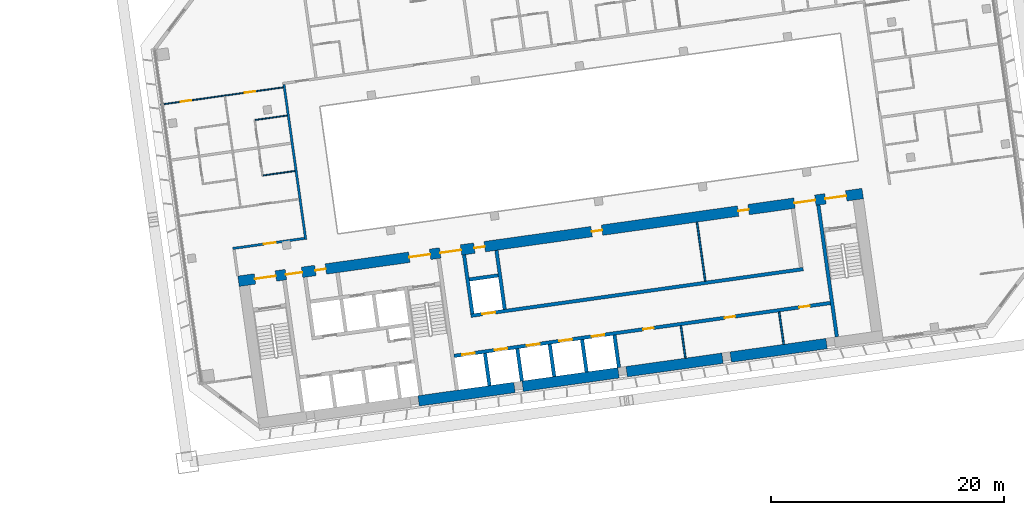
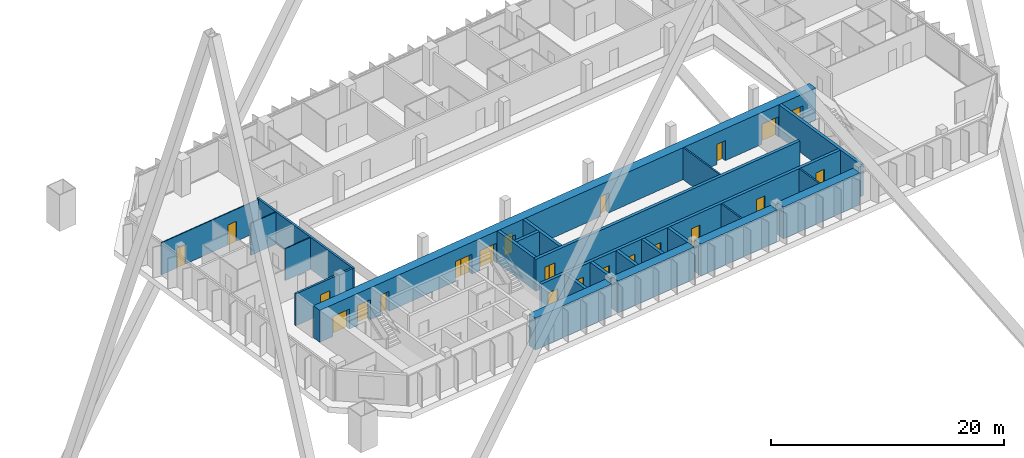
# One storey, part 44 of 49: 24 walls, 22 doors, 22 openings.
"""IFC4 building model written with IfcOpenShell, lengths in metres."""

from ifc_helpers import new_model, si_unit, direction, frame, frame_2d, origin, place, context, subcontext, project, spatial, rectangle, extrude, material, layer, layer_set, type_object, element, fill, save


model = new_model("IFC4")

# Units and contexts
model_context = context("Model", 3, precision=1e-05, world=origin(), true_north=direction((0.0, 1.0)))
body_context = subcontext(model_context, "Body", "Model", "MODEL_VIEW")
ifc_project = project(units=[si_unit("LENGTHUNIT", "METRE"), si_unit("AREAUNIT", "SQUARE_METRE"), si_unit("VOLUMEUNIT", "CUBIC_METRE"), si_unit("PLANEANGLEUNIT", "RADIAN"), si_unit("MASSUNIT", "GRAM", prefix="KILO")], contexts=[model_context])

# Site, building, storey
site_placement = place(None, origin())
site = spatial("IfcSite", under=ifc_project, at=site_placement, CompositionType="ELEMENT")
building_placement = place(site_placement, origin())
building = spatial("IfcBuilding", under=site, at=building_placement, Name="Mirante Cascada Hotel Towers", CompositionType="ELEMENT")
storey_placement = place(building_placement, frame((0.0, 0.0, 66.1)))
storey = spatial("IfcBuildingStorey", under=building, at=storey_placement, Name="L13", CompositionType="ELEMENT", Elevation=66.1)

# Wall, opening, door
ifc_material_1 = material(Name="Fire-rated plasterboard on metal studs")
ifc_layer_1 = layer(ifc_material_1, 0.2)
ifc_layer_set_1 = layer_set([ifc_layer_1], Name="Compartment wall 200 EI 120")
wall_type_1 = type_object("IfcWallType", Name="Compartment wall 200 EI 120", PredefinedType="PARTITIONING", material=ifc_layer_set_1)
wall_1_placement = place(storey_placement, frame((34.8304, -4.7545, 0.0), z_axis=(0.0, 0.0, 1.0), x_axis=(0.9902695, 0.1391629, 0.0)))
wall_1 = element("IfcWall", 1, at=wall_1_placement, inside=storey, type_object=wall_type_1, Name="Wall 2-L13-04", PredefinedType="PARTITIONING", context=body_context, shape_type="SweptSolid", body=[
    extrude(rectangle(XDim=6.1999, YDim=0.2, at=frame_2d((3.1, 0.0))), origin(), (0.0, 0.0, 1.0), 3.35),
])
opening_1_placement = place(wall_1_placement, frame((2.7, 0.0, 0.0)))
opening_1 = element("IfcOpeningElement", 2, at=opening_1_placement, cuts=wall_1, Name="Opening D2-L13-05", PredefinedType="OPENING", context=body_context, shape_type="SweptSolid", body=[
    extrude(rectangle(XDim=1.0, YDim=2.1, at=frame_2d((0.5, 1.05))), frame((0.0, 0.1, 0.0), z_axis=(0.0, -1.0, 0.0), x_axis=(1.0, 0.0, 0.0)), (0.0, 0.0, 1.0), 0.2),
])
ifc_material_2 = material(Name="Fire-rated timber door leaf", Category="wood")
door_type_1 = type_object("IfcDoorType", Name="Entrance door DG1 1000x2100 EI 60", OperationType="SINGLE_SWING_LEFT", PredefinedType="DOOR", material=ifc_material_2)
door_1_placement = place(opening_1_placement, frame((1.0, 0.0, 0.0), z_axis=(0.0, 0.0, 1.0), x_axis=(-1.0, 0.0, 0.0)))
door_1 = element("IfcDoor", 3, at=door_1_placement, inside=storey, type_object=door_type_1, Name="Door D2-L13-05", OperationType="SINGLE_SWING_RIGHT", OverallHeight=2.1, OverallWidth=1.0, PredefinedType="DOOR", context=body_context, shape_type="SweptSolid", body=[
    extrude(rectangle(XDim=1.0, YDim=2.1, at=frame_2d((0.5, 1.05))), frame((0.0, 0.025, 0.0), z_axis=(0.0, -1.0, 0.0), x_axis=(1.0, 0.0, 0.0)), (0.0, 0.0, 1.0), 0.05),
])
fill(opening_1, door_1)

# Walls
wall_2_placement = place(storey_placement, frame((39.2181, 9.2928, 0.0), z_axis=(0.0, 0.0, 1.0), x_axis=(0.1391716, -0.9902683, 0.0)))
element("IfcWall", 4, at=wall_2_placement, inside=storey, type_object=wall_type_1, Name="Wall 2-L13-35", PredefinedType="PARTITIONING", context=body_context, shape_type="SweptSolid", body=[
    extrude(rectangle(XDim=13.4, YDim=0.2, at=frame_2d((6.7, 0.0))), origin(), (0.0, 0.0, 1.0), 3.35),
])
ifc_material_3 = material(Name="Masonry block", Category="masonry")
ifc_layer_2 = layer(ifc_material_3, 0.15)
ifc_layer_set_2 = layer_set([ifc_layer_2], Name="Core room partition 150 block EI 30")
wall_type_2 = type_object("IfcWallType", Name="Core room partition 150 block EI 30", PredefinedType="PARTITIONING", material=ifc_layer_set_2)
wall_3_placement = place(storey_placement, frame((73.6152, -14.1482, 0.0), z_axis=(0.0, 0.0, 1.0), x_axis=(-0.139176, 0.9902677, 0.0)))
element("IfcWall", 5, at=wall_3_placement, inside=storey, type_object=wall_type_2, Name="Core wall partition T2 L13 4", PredefinedType="PARTITIONING", context=body_context, shape_type="SweptSolid", body=[
    extrude(rectangle(XDim=2.8001, YDim=0.15, at=frame_2d((1.4, 0.0))), origin(), (0.0, 0.0, 1.0), 3.35),
])
wall_4_placement = place(storey_placement, frame((82.0324, -12.9652, 0.0), z_axis=(0.0, 0.0, 1.0), x_axis=(-0.139141, 0.9902726, 0.0)))
element("IfcWall", 6, at=wall_4_placement, inside=storey, type_object=wall_type_2, Name="Core wall partition T2 L13 5", PredefinedType="PARTITIONING", context=body_context, shape_type="SweptSolid", body=[
    extrude(rectangle(XDim=2.8, YDim=0.15, at=frame_2d((1.4, 0.0))), origin(), (0.0, 0.0, 1.0), 3.35),
])
wall_5_placement = place(storey_placement, frame((75.3131, -7.5476, 0.0), z_axis=(0.0, 0.0, 1.0), x_axis=(-0.1391782, 0.9902673, 0.0)))
element("IfcWall", 7, at=wall_5_placement, inside=storey, type_object=wall_type_2, Name="Core wall partition T2 L13 6", PredefinedType="PARTITIONING", context=body_context, shape_type="SweptSolid", body=[
    extrude(rectangle(XDim=5.0999, YDim=0.15, at=frame_2d((2.55, 0.0))), origin(), (0.0, 0.0, 1.0), 3.35),
])
ifc_material_4 = material(Name="Plasterboard on metal studs")
ifc_layer_3 = layer(ifc_material_4, 0.1)
ifc_layer_set_3 = layer_set([ifc_layer_3], Name="Partition 100")
wall_type_3 = type_object("IfcWallType", Name="Partition 100", PredefinedType="PARTITIONING", material=ifc_layer_set_3)
wall_6_placement = place(storey_placement, frame((40.1582, 1.8849, 0.0), z_axis=(0.0, 0.0, 1.0), x_axis=(-0.9902641, -0.1392013, 0.0)))
element("IfcWall", 8, at=wall_6_placement, inside=storey, type_object=wall_type_3, Name="Wall 2-L13-11", PredefinedType="PARTITIONING", context=body_context, shape_type="SweptSolid", body=[
    extrude(rectangle(XDim=2.75, YDim=0.1, at=frame_2d((1.375, 0.0))), origin(), (0.0, 0.0, 1.0), 3.35),
])
wall_7_placement = place(storey_placement, frame((39.4902, 6.6381, 0.0), z_axis=(0.0, 0.0, 1.0), x_axis=(-0.9902698, -0.1391607, 0.0)))
element("IfcWall", 9, at=wall_7_placement, inside=storey, type_object=wall_type_3, Name="Wall 2-L13-15", PredefinedType="PARTITIONING", context=body_context, shape_type="SweptSolid", body=[
    extrude(rectangle(XDim=2.7501, YDim=0.1, at=frame_2d((1.3751, 0.0))), origin(), (0.0, 0.0, 1.0), 3.35),
])

# Wall, openings, doors
wall_8_placement = place(storey_placement, frame((28.6547, 7.5726, 0.0), z_axis=(0.0, 0.0, 1.0), x_axis=(0.9902671, 0.1391797, 0.0)))
wall_8 = element("IfcWall", 10, at=wall_8_placement, inside=storey, type_object=wall_type_3, Name="Wall 2-L13-18", PredefinedType="PARTITIONING", context=body_context, shape_type="SweptSolid", body=[
    extrude(rectangle(XDim=10.6, YDim=0.1, at=frame_2d((5.3, 0.0))), origin(), (0.0, 0.0, 1.0), 3.35),
])
opening_2_placement = place(wall_8_placement, frame((1.725, 0.0, 0.0)))
opening_2 = element("IfcOpeningElement", 11, at=opening_2_placement, cuts=wall_8, Name="Opening D2-L13-08", PredefinedType="OPENING", context=body_context, shape_type="SweptSolid", body=[
    extrude(rectangle(XDim=0.9, YDim=2.1, at=frame_2d((0.45, 1.05))), frame((0.0, 0.05, 0.0), z_axis=(0.0, -1.0, 0.0), x_axis=(1.0, 0.0, 0.0)), (0.0, 0.0, 1.0), 0.1),
])
opening_3_placement = place(wall_8_placement, frame((7.275, 0.0, 0.0)))
opening_3 = element("IfcOpeningElement", 12, at=opening_3_placement, cuts=wall_8, Name="Opening D2-L13-09", PredefinedType="OPENING", context=body_context, shape_type="SweptSolid", body=[
    extrude(rectangle(XDim=0.9, YDim=2.1, at=frame_2d((0.45, 1.05))), frame((0.0, 0.05, 0.0), z_axis=(0.0, -1.0, 0.0), x_axis=(1.0, 0.0, 0.0)), (0.0, 0.0, 1.0), 0.1),
])
ifc_material_5 = material(Name="Timber door leaf", Category="wood")
door_type_2 = type_object("IfcDoorType", Name="Room door DG3 900x2100", OperationType="SINGLE_SWING_LEFT", PredefinedType="DOOR", material=ifc_material_5)
door_2_placement = place(opening_2_placement, origin())
door_2 = element("IfcDoor", 13, at=door_2_placement, inside=storey, type_object=door_type_2, Name="Door D2-L13-08", OperationType="SINGLE_SWING_LEFT", OverallHeight=2.1, OverallWidth=0.9, PredefinedType="DOOR", context=body_context, shape_type="SweptSolid", body=[
    extrude(rectangle(XDim=0.9, YDim=2.1, at=frame_2d((0.45, 1.05))), frame((0.0, 0.025, 0.0), z_axis=(0.0, -1.0, 0.0), x_axis=(1.0, 0.0, 0.0)), (0.0, 0.0, 1.0), 0.05),
])
fill(opening_2, door_2)
door_3_placement = place(opening_3_placement, origin())
door_3 = element("IfcDoor", 14, at=door_3_placement, inside=storey, type_object=door_type_2, Name="Door D2-L13-09", OperationType="SINGLE_SWING_LEFT", OverallHeight=2.1, OverallWidth=0.9, PredefinedType="DOOR", context=body_context, shape_type="SweptSolid", body=[
    extrude(rectangle(XDim=0.9, YDim=2.1, at=frame_2d((0.45, 1.05))), frame((0.0, 0.025, 0.0), z_axis=(0.0, -1.0, 0.0), x_axis=(1.0, 0.0, 0.0)), (0.0, 0.0, 1.0), 0.05),
])
fill(opening_3, door_3)

# Wall
ifc_material_6 = material(Name="Concrete C50/60", Category="concrete")
ifc_layer_4 = layer(ifc_material_6, 0.3)
ifc_layer_set_4 = layer_set([ifc_layer_4], Name="RC core wall 300 C50/60")
wall_type_4 = type_object("IfcWallType", Name="RC core wall 300 C50/60", PredefinedType="SHEAR", material=ifc_layer_set_4)
wall_9_placement = place(storey_placement, frame((86.5877, -12.325, 0.0), z_axis=(0.0, 0.0, 1.0), x_axis=(-0.1391749, 0.9902678, 0.0)))
element("IfcWall", 15, at=wall_9_placement, inside=storey, type_object=wall_type_4, Name="Core wall T2:L13:8", PredefinedType="SHEAR", context=body_context, shape_type="SweptSolid", body=[
    extrude(rectangle(XDim=11.4, YDim=0.3, at=frame_2d((5.7, 0.0))), origin(), (0.0, 0.0, 1.0), 3.35),
])

# Wall, openings, doors
wall_10_placement = place(storey_placement, frame((53.7953, -13.9547, 0.0), z_axis=(0.0, 0.0, 1.0), x_axis=(0.990268, 0.1391733, 0.0)))
wall_10 = element("IfcWall", 16, at=wall_10_placement, inside=storey, type_object=wall_type_4, Name="Core wall T2:L13:24", PredefinedType="SHEAR", context=body_context, shape_type="SweptSolid", body=[
    extrude(rectangle(XDim=32.5501, YDim=0.3, at=frame_2d((16.275, 0.0))), origin(), (0.0, 0.0, 1.0), 3.35),
])
opening_4_placement = place(wall_10_placement, frame((0.7, 0.0, 0.0)))
opening_4 = element("IfcOpeningElement", 17, at=opening_4_placement, cuts=wall_10, Name="Opening LD", PredefinedType="OPENING", context=body_context, shape_type="SweptSolid", body=[
    extrude(rectangle(XDim=1.1, YDim=2.1, at=frame_2d((0.55, 1.05))), frame((0.0, 0.15, 0.0), z_axis=(0.0, -1.0, 0.0), x_axis=(1.0, 0.0, 0.0)), (0.0, 0.0, 1.0), 0.3),
])
opening_5_placement = place(wall_10_placement, frame((3.5, 0.0, 0.0)))
opening_5 = element("IfcOpeningElement", 18, at=opening_5_placement, cuts=wall_10, Name="Opening LD", PredefinedType="OPENING", context=body_context, shape_type="SweptSolid", body=[
    extrude(rectangle(XDim=1.1, YDim=2.1, at=frame_2d((0.55, 1.05))), frame((0.0, 0.15, 0.0), z_axis=(0.0, -1.0, 0.0), x_axis=(1.0, 0.0, 0.0)), (0.0, 0.0, 1.0), 0.3),
])
opening_6_placement = place(wall_10_placement, frame((6.3, 0.0, 0.0)))
opening_6 = element("IfcOpeningElement", 19, at=opening_6_placement, cuts=wall_10, Name="Opening LD", PredefinedType="OPENING", context=body_context, shape_type="SweptSolid", body=[
    extrude(rectangle(XDim=1.1, YDim=2.1, at=frame_2d((0.55, 1.05))), frame((0.0, 0.15, 0.0), z_axis=(0.0, -1.0, 0.0), x_axis=(1.0, 0.0, 0.0)), (0.0, 0.0, 1.0), 0.3),
])
opening_7_placement = place(wall_10_placement, frame((9.1, 0.0, 0.0)))
opening_7 = element("IfcOpeningElement", 20, at=opening_7_placement, cuts=wall_10, Name="Opening LD", PredefinedType="OPENING", context=body_context, shape_type="SweptSolid", body=[
    extrude(rectangle(XDim=1.1, YDim=2.1, at=frame_2d((0.55, 1.05))), frame((0.0, 0.15, 0.0), z_axis=(0.0, -1.0, 0.0), x_axis=(1.0, 0.0, 0.0)), (0.0, 0.0, 1.0), 0.3),
])
opening_8_placement = place(wall_10_placement, frame((11.9, 0.0, 0.0)))
opening_8 = element("IfcOpeningElement", 21, at=opening_8_placement, cuts=wall_10, Name="Opening LD", PredefinedType="OPENING", context=body_context, shape_type="SweptSolid", body=[
    extrude(rectangle(XDim=1.1, YDim=2.1, at=frame_2d((0.55, 1.05))), frame((0.0, 0.15, 0.0), z_axis=(0.0, -1.0, 0.0), x_axis=(1.0, 0.0, 0.0)), (0.0, 0.0, 1.0), 0.3),
])
opening_9_placement = place(wall_10_placement, frame((16.35, 0.0, 0.0)))
opening_9 = element("IfcOpeningElement", 22, at=opening_9_placement, cuts=wall_10, Name="Opening D2-13-C25", PredefinedType="OPENING", context=body_context, shape_type="SweptSolid", body=[
    extrude(rectangle(XDim=0.9, YDim=2.1, at=frame_2d((0.45, 1.05))), frame((0.0, 0.15, 0.0), z_axis=(0.0, -1.0, 0.0), x_axis=(1.0, 0.0, 0.0)), (0.0, 0.0, 1.0), 0.3),
])
opening_10_placement = place(wall_10_placement, frame((23.4, 0.0, 0.0)))
opening_10 = element("IfcOpeningElement", 23, at=opening_10_placement, cuts=wall_10, Name="Opening D2-13-C26", PredefinedType="OPENING", context=body_context, shape_type="SweptSolid", body=[
    extrude(rectangle(XDim=0.9, YDim=2.1, at=frame_2d((0.45, 1.05))), frame((0.0, 0.15, 0.0), z_axis=(0.0, -1.0, 0.0), x_axis=(1.0, 0.0, 0.0)), (0.0, 0.0, 1.0), 0.3),
])
opening_11_placement = place(wall_10_placement, frame((29.875, 0.0, 0.0)))
opening_11 = element("IfcOpeningElement", 24, at=opening_11_placement, cuts=wall_10, Name="Opening D2-13-C27", PredefinedType="OPENING", context=body_context, shape_type="SweptSolid", body=[
    extrude(rectangle(XDim=0.9, YDim=2.1, at=frame_2d((0.45, 1.05))), frame((0.0, 0.15, 0.0), z_axis=(0.0, -1.0, 0.0), x_axis=(1.0, 0.0, 0.0)), (0.0, 0.0, 1.0), 0.3),
])
ifc_material_7 = material(Name="Hollow metal fire door leaf")
door_type_3 = type_object("IfcDoorType", Name="Fire door 900x2100 FD60", OperationType="NOTDEFINED", PredefinedType="DOOR", material=ifc_material_7)
door_4_placement = place(opening_9_placement, frame((0.9, 0.0, 0.0), z_axis=(0.0, 0.0, 1.0), x_axis=(-1.0, 0.0, 0.0)))
door_4 = element("IfcDoor", 25, at=door_4_placement, inside=storey, type_object=door_type_3, Name="Room door T2 L13 25", OperationType="SINGLE_SWING_RIGHT", OverallHeight=2.1, OverallWidth=0.9, PredefinedType="DOOR", context=body_context, shape_type="SweptSolid", body=[
    extrude(rectangle(XDim=0.9, YDim=2.1, at=frame_2d((0.45, 1.05))), frame((0.0, 0.025, 0.0), z_axis=(0.0, -1.0, 0.0), x_axis=(1.0, 0.0, 0.0)), (0.0, 0.0, 1.0), 0.05),
])
fill(opening_9, door_4)
door_5_placement = place(opening_10_placement, frame((0.9, 0.0, 0.0), z_axis=(0.0, 0.0, 1.0), x_axis=(-1.0, 0.0, 0.0)))
door_5 = element("IfcDoor", 26, at=door_5_placement, inside=storey, type_object=door_type_3, Name="Room door T2 L13 26", OperationType="SINGLE_SWING_RIGHT", OverallHeight=2.1, OverallWidth=0.9, PredefinedType="DOOR", context=body_context, shape_type="SweptSolid", body=[
    extrude(rectangle(XDim=0.9, YDim=2.1, at=frame_2d((0.45, 1.05))), frame((0.0, 0.025, 0.0), z_axis=(0.0, -1.0, 0.0), x_axis=(1.0, 0.0, 0.0)), (0.0, 0.0, 1.0), 0.05),
])
fill(opening_10, door_5)
door_6_placement = place(opening_11_placement, frame((0.9, 0.0, 0.0), z_axis=(0.0, 0.0, 1.0), x_axis=(-1.0, 0.0, 0.0)))
door_6 = element("IfcDoor", 27, at=door_6_placement, inside=storey, type_object=door_type_3, Name="Room door T2 L13 27", OperationType="SINGLE_SWING_RIGHT", OverallHeight=2.1, OverallWidth=0.9, PredefinedType="DOOR", context=body_context, shape_type="SweptSolid", body=[
    extrude(rectangle(XDim=0.9, YDim=2.1, at=frame_2d((0.45, 1.05))), frame((0.0, 0.025, 0.0), z_axis=(0.0, -1.0, 0.0), x_axis=(1.0, 0.0, 0.0)), (0.0, 0.0, 1.0), 0.05),
])
fill(opening_11, door_6)
ifc_material_8 = material(Name="Stainless steel", Category="steel")
door_type_4 = type_object("IfcDoorType", Name="Lift landing door 1100x2100 EI 120", OperationType="DOUBLE_DOOR_SLIDING", PredefinedType="DOOR", material=ifc_material_8)
door_7_placement = place(opening_4_placement, origin())
door_7 = element("IfcDoor", 28, at=door_7_placement, inside=storey, type_object=door_type_4, Name="Lift landing door LR2-1 L13", OperationType="DOUBLE_DOOR_SLIDING", OverallHeight=2.1, OverallWidth=1.1, PredefinedType="DOOR", context=body_context, shape_type="SweptSolid", body=[
    extrude(rectangle(XDim=0.545, YDim=2.1, at=frame_2d((0.2725, 1.05))), frame((0.0, 0.025, 0.0), z_axis=(0.0, -1.0, 0.0), x_axis=(1.0, 0.0, 0.0)), (0.0, 0.0, 1.0), 0.05),
    extrude(rectangle(XDim=0.545, YDim=2.1, at=frame_2d((0.8275, 1.05))), frame((0.0, 0.025, 0.0), z_axis=(0.0, -1.0, 0.0), x_axis=(1.0, 0.0, 0.0)), (0.0, 0.0, 1.0), 0.05),
])
fill(opening_4, door_7)
door_8_placement = place(opening_5_placement, origin())
door_8 = element("IfcDoor", 29, at=door_8_placement, inside=storey, type_object=door_type_4, Name="Lift landing door LR2-2 L13", OperationType="DOUBLE_DOOR_SLIDING", OverallHeight=2.1, OverallWidth=1.1, PredefinedType="DOOR", context=body_context, shape_type="SweptSolid", body=[
    extrude(rectangle(XDim=0.545, YDim=2.1, at=frame_2d((0.2725, 1.05))), frame((0.0, 0.025, 0.0), z_axis=(0.0, -1.0, 0.0), x_axis=(1.0, 0.0, 0.0)), (0.0, 0.0, 1.0), 0.05),
    extrude(rectangle(XDim=0.545, YDim=2.1, at=frame_2d((0.8275, 1.05))), frame((0.0, 0.025, 0.0), z_axis=(0.0, -1.0, 0.0), x_axis=(1.0, 0.0, 0.0)), (0.0, 0.0, 1.0), 0.05),
])
fill(opening_5, door_8)
door_9_placement = place(opening_6_placement, origin())
door_9 = element("IfcDoor", 30, at=door_9_placement, inside=storey, type_object=door_type_4, Name="Lift landing door SV2-1 L13", OperationType="DOUBLE_DOOR_SLIDING", OverallHeight=2.1, OverallWidth=1.1, PredefinedType="DOOR", context=body_context, shape_type="SweptSolid", body=[
    extrude(rectangle(XDim=0.545, YDim=2.1, at=frame_2d((0.2725, 1.05))), frame((0.0, 0.025, 0.0), z_axis=(0.0, -1.0, 0.0), x_axis=(1.0, 0.0, 0.0)), (0.0, 0.0, 1.0), 0.05),
    extrude(rectangle(XDim=0.545, YDim=2.1, at=frame_2d((0.8275, 1.05))), frame((0.0, 0.025, 0.0), z_axis=(0.0, -1.0, 0.0), x_axis=(1.0, 0.0, 0.0)), (0.0, 0.0, 1.0), 0.05),
])
fill(opening_6, door_9)
door_10_placement = place(opening_7_placement, origin())
door_10 = element("IfcDoor", 31, at=door_10_placement, inside=storey, type_object=door_type_4, Name="Lift landing door SV2-2 L13", OperationType="DOUBLE_DOOR_SLIDING", OverallHeight=2.1, OverallWidth=1.1, PredefinedType="DOOR", context=body_context, shape_type="SweptSolid", body=[
    extrude(rectangle(XDim=0.545, YDim=2.1, at=frame_2d((0.2725, 1.05))), frame((0.0, 0.025, 0.0), z_axis=(0.0, -1.0, 0.0), x_axis=(1.0, 0.0, 0.0)), (0.0, 0.0, 1.0), 0.05),
    extrude(rectangle(XDim=0.545, YDim=2.1, at=frame_2d((0.8275, 1.05))), frame((0.0, 0.025, 0.0), z_axis=(0.0, -1.0, 0.0), x_axis=(1.0, 0.0, 0.0)), (0.0, 0.0, 1.0), 0.05),
])
fill(opening_7, door_10)
door_11_placement = place(opening_8_placement, origin())
door_11 = element("IfcDoor", 32, at=door_11_placement, inside=storey, type_object=door_type_4, Name="Lift landing door SV2-3 L13", OperationType="DOUBLE_DOOR_SLIDING", OverallHeight=2.1, OverallWidth=1.1, PredefinedType="DOOR", context=body_context, shape_type="SweptSolid", body=[
    extrude(rectangle(XDim=0.545, YDim=2.1, at=frame_2d((0.2725, 1.05))), frame((0.0, 0.025, 0.0), z_axis=(0.0, -1.0, 0.0), x_axis=(1.0, 0.0, 0.0)), (0.0, 0.0, 1.0), 0.05),
    extrude(rectangle(XDim=0.545, YDim=2.1, at=frame_2d((0.8275, 1.05))), frame((0.0, 0.025, 0.0), z_axis=(0.0, -1.0, 0.0), x_axis=(1.0, 0.0, 0.0)), (0.0, 0.0, 1.0), 0.05),
])
fill(opening_8, door_11)

# Walls
for number, where, z_axis, x_axis, name in (
    (33, (56.8301, -16.5072, 0.0), (0.0, 0.0, 1.0), (-0.139176, 0.9902677, 0.0), "Core wall T2:L13:25"),
    (34, (59.6029, -16.1175, 0.0), (0.0, 0.0, 1.0), (-0.139176, 0.9902677, 0.0), "Core wall T2:L13:26"),
    (35, (62.3756, -15.7278, 0.0), (0.0, 0.0, 1.0), (-0.139176, 0.9902677, 0.0), "Core wall T2:L13:27"),
    (36, (65.1484, -15.3381, 0.0), (0.0, 0.0, 1.0), (-0.139176, 0.9902677, 0.0), "Core wall T2:L13:28"),
):
    element("IfcWall", number, at=place(storey_placement, frame(where, z_axis=z_axis, x_axis=x_axis)), inside=storey, type_object=wall_type_4, Name=name, PredefinedType="SHEAR", context=body_context, shape_type="SweptSolid", body=[
        extrude(rectangle(XDim=2.8001, YDim=0.3, at=frame_2d((1.4, 0.0))), origin(), (0.0, 0.0, 1.0), 3.35),
    ])
wall_11_placement = place(storey_placement, frame((67.9211, -14.9484, 0.0), z_axis=(0.0, 0.0, 1.0), x_axis=(-0.139181, 0.990267, 0.0)))
element("IfcWall", 37, at=wall_11_placement, inside=storey, type_object=wall_type_4, Name="Core wall T2:L13:29", PredefinedType="SHEAR", context=body_context, shape_type="SweptSolid", body=[
    extrude(rectangle(XDim=2.8, YDim=0.3, at=frame_2d((1.4, 0.0))), origin(), (0.0, 0.0, 1.0), 3.35),
])

# Wall, opening, door
wall_12_placement = place(storey_placement, frame((55.2315, -10.5214, 0.0), z_axis=(0.0, 0.0, 1.0), x_axis=(0.9902682, 0.1391722, 0.0)))
wall_12 = element("IfcWall", 38, at=wall_12_placement, inside=storey, type_object=wall_type_4, Name="Core wall T2:L13:32", PredefinedType="SHEAR", context=body_context, shape_type="SweptSolid", body=[
    extrude(rectangle(XDim=28.75, YDim=0.3, at=frame_2d((14.375, 0.0))), origin(), (0.0, 0.0, 1.0), 3.35),
])
opening_12_placement = place(wall_12_placement, frame((1.0, 0.0, 0.0)))
opening_12 = element("IfcOpeningElement", 39, at=opening_12_placement, cuts=wall_12, Name="Opening LD", PredefinedType="OPENING", context=body_context, shape_type="SweptSolid", body=[
    extrude(rectangle(XDim=1.1, YDim=2.1, at=frame_2d((0.55, 1.05))), frame((0.0, 0.15, 0.0), z_axis=(0.0, -1.0, 0.0), x_axis=(1.0, 0.0, 0.0)), (0.0, 0.0, 1.0), 0.3),
])
door_12_placement = place(opening_12_placement, origin())
door_12 = element("IfcDoor", 40, at=door_12_placement, inside=storey, type_object=door_type_4, Name="Lift landing door LR2-3 L13", OperationType="DOUBLE_DOOR_SLIDING", OverallHeight=2.1, OverallWidth=1.1, PredefinedType="DOOR", context=body_context, shape_type="SweptSolid", body=[
    extrude(rectangle(XDim=0.545, YDim=2.1, at=frame_2d((0.2725, 1.05))), frame((0.0, 0.025, 0.0), z_axis=(0.0, -1.0, 0.0), x_axis=(1.0, 0.0, 0.0)), (0.0, 0.0, 1.0), 0.05),
    extrude(rectangle(XDim=0.545, YDim=2.1, at=frame_2d((0.8275, 1.05))), frame((0.0, 0.025, 0.0), z_axis=(0.0, -1.0, 0.0), x_axis=(1.0, 0.0, 0.0)), (0.0, 0.0, 1.0), 0.05),
])
fill(opening_12, door_12)

# Walls
for number, where, z_axis, x_axis, name in (
    (41, (55.3592, -10.352, 0.0), (0.0, 0.0, 1.0), (-0.1391755, 0.9902677, 0.0), "Core wall T2:L13:33"),
    (42, (58.1319, -9.9623, 0.0), (0.0, 0.0, 1.0), (-0.1391755, 0.9902677, 0.0), "Core wall T2:L13:35"),
):
    element("IfcWall", number, at=place(storey_placement, frame(where, z_axis=z_axis, x_axis=x_axis)), inside=storey, type_object=wall_type_4, Name=name, PredefinedType="SHEAR", context=body_context, shape_type="SweptSolid", body=[
        extrude(rectangle(XDim=5.1, YDim=0.3, at=frame_2d((2.55, 0.0))), origin(), (0.0, 0.0, 1.0), 3.35),
    ])
wall_13_placement = place(storey_placement, frame((55.0971, -7.4098, 0.0), z_axis=(0.0, 0.0, 1.0), x_axis=(0.9902701, 0.1391586, 0.0)))
element("IfcWall", 43, at=wall_13_placement, inside=storey, type_object=wall_type_4, Name="Core wall T2:L13:36", PredefinedType="SHEAR", context=body_context, shape_type="SweptSolid", body=[
    extrude(rectangle(XDim=2.5, YDim=0.3, at=frame_2d((1.25, 0.0))), origin(), (0.0, 0.0, 1.0), 3.35),
])
ifc_material_9 = material(Name="Concrete C50/60", Category="concrete")
ifc_layer_5 = layer(ifc_material_9, 0.9)
ifc_layer_set_5 = layer_set([ifc_layer_5], Name="RC core wall 900 C50/60")
wall_type_5 = type_object("IfcWallType", Name="RC core wall 900 C50/60", PredefinedType="SHEAR", material=ifc_layer_set_5)
for number, where, z_axis, x_axis, name in (
    (44, (50.7531, -17.8156, 0.0), (0.0, 0.0, 1.0), (0.9902686, 0.1391692, 0.0), "Core wall T2:L13:1.3"),
    (45, (59.6655, -16.5631, 0.0), (0.0, 0.0, 1.0), (0.9902686, 0.1391692, 0.0), "Core wall T2:L13:1.4"),
    (46, (68.5779, -15.3105, 0.0), (0.0, 0.0, 1.0), (0.9902686, 0.1391692, 0.0), "Core wall T2:L13:1.5"),
    (47, (77.4903, -14.058, 0.0), (0.0, 0.0, 1.0), (0.990267, 0.139181, 0.0), "Core wall T2:L13:1.6"),
):
    element("IfcWall", number, at=place(storey_placement, frame(where, z_axis=z_axis, x_axis=x_axis)), inside=storey, type_object=wall_type_5, Name=name, PredefinedType="SHEAR", context=body_context, shape_type="SweptSolid", body=[
        extrude(rectangle(XDim=8.3, YDim=0.9, at=frame_2d((4.15, 0.0))), origin(), (0.0, 0.0, 1.0), 3.35),
    ])

# Wall, openings, doors
wall_14_placement = place(storey_placement, frame((35.326, -7.5629, 0.0), z_axis=(0.0, 0.0, 1.0), x_axis=(0.9902679, 0.139174, 0.0)))
wall_14 = element("IfcWall", 48, at=wall_14_placement, inside=storey, type_object=wall_type_5, Name="Core wall T2:L13:2", PredefinedType="SHEAR", context=body_context, shape_type="SweptSolid", body=[
    extrude(rectangle(XDim=54.0, YDim=0.9, at=frame_2d((27.0, 0.0))), origin(), (0.0, 0.0, 1.0), 3.35),
])
opening_13_placement = place(wall_14_placement, frame((1.425, 0.0, 0.0)))
opening_13 = element("IfcOpeningElement", 49, at=opening_13_placement, cuts=wall_14, Name="Opening D2-13-C14", PredefinedType="OPENING", context=body_context, shape_type="SweptSolid", body=[
    extrude(rectangle(XDim=1.8, YDim=2.1, at=frame_2d((0.9, 1.05))), frame((0.0, 0.45, 0.0), z_axis=(0.0, -1.0, 0.0), x_axis=(1.0, 0.0, 0.0)), (0.0, 0.0, 1.0), 0.9),
])
opening_14_placement = place(wall_14_placement, frame((14.775, 0.0, 0.0)))
opening_14 = element("IfcOpeningElement", 50, at=opening_14_placement, cuts=wall_14, Name="Opening D2-13-C16", PredefinedType="OPENING", context=body_context, shape_type="SweptSolid", body=[
    extrude(rectangle(XDim=1.8, YDim=2.1, at=frame_2d((0.9, 1.05))), frame((0.0, 0.45, 0.0), z_axis=(0.0, -1.0, 0.0), x_axis=(1.0, 0.0, 0.0)), (0.0, 0.0, 1.0), 0.9),
])
opening_15_placement = place(wall_14_placement, frame((50.775, 0.0, 0.0)))
opening_15 = element("IfcOpeningElement", 51, at=opening_15_placement, cuts=wall_14, Name="Opening D2-13-C18", PredefinedType="OPENING", context=body_context, shape_type="SweptSolid", body=[
    extrude(rectangle(XDim=1.8, YDim=2.1, at=frame_2d((0.9, 1.05))), frame((0.0, 0.45, 0.0), z_axis=(0.0, -1.0, 0.0), x_axis=(1.0, 0.0, 0.0)), (0.0, 0.0, 1.0), 0.9),
])
opening_16_placement = place(wall_14_placement, frame((4.1, 0.0, 0.0)))
opening_16 = element("IfcOpeningElement", 52, at=opening_16_placement, cuts=wall_14, Name="Opening D2-13-C19", PredefinedType="OPENING", context=body_context, shape_type="SweptSolid", body=[
    extrude(rectangle(XDim=1.4, YDim=2.1, at=frame_2d((0.7, 1.05))), frame((0.0, 0.45, 0.0), z_axis=(0.0, -1.0, 0.0), x_axis=(1.0, 0.0, 0.0)), (0.0, 0.0, 1.0), 0.9),
])
opening_17_placement = place(wall_14_placement, frame((17.45, 0.0, 0.0)))
opening_17 = element("IfcOpeningElement", 53, at=opening_17_placement, cuts=wall_14, Name="Opening D2-13-C20", PredefinedType="OPENING", context=body_context, shape_type="SweptSolid", body=[
    extrude(rectangle(XDim=1.8, YDim=2.1, at=frame_2d((0.9, 1.05))), frame((0.0, 0.45, 0.0), z_axis=(0.0, -1.0, 0.0), x_axis=(1.0, 0.0, 0.0)), (0.0, 0.0, 1.0), 0.9),
])
opening_18_placement = place(wall_14_placement, frame((48.1, 0.0, 0.0)))
opening_18 = element("IfcOpeningElement", 54, at=opening_18_placement, cuts=wall_14, Name="Opening D2-13-C21", PredefinedType="OPENING", context=body_context, shape_type="SweptSolid", body=[
    extrude(rectangle(XDim=1.8, YDim=2.1, at=frame_2d((0.9, 1.05))), frame((0.0, 0.45, 0.0), z_axis=(0.0, -1.0, 0.0), x_axis=(1.0, 0.0, 0.0)), (0.0, 0.0, 1.0), 0.9),
])
opening_19_placement = place(wall_14_placement, frame((6.65, 0.0, 0.0)))
opening_19 = element("IfcOpeningElement", 55, at=opening_19_placement, cuts=wall_14, Name="Opening D2-13-C24", PredefinedType="OPENING", context=body_context, shape_type="SweptSolid", body=[
    extrude(rectangle(XDim=0.9, YDim=2.1, at=frame_2d((0.45, 1.05))), frame((0.0, 0.45, 0.0), z_axis=(0.0, -1.0, 0.0), x_axis=(1.0, 0.0, 0.0)), (0.0, 0.0, 1.0), 0.9),
])
opening_20_placement = place(wall_14_placement, frame((20.4, 0.0, 0.0)))
opening_20 = element("IfcOpeningElement", 56, at=opening_20_placement, cuts=wall_14, Name="Opening D2-13-C28", PredefinedType="OPENING", context=body_context, shape_type="SweptSolid", body=[
    extrude(rectangle(XDim=0.9, YDim=2.1, at=frame_2d((0.45, 1.05))), frame((0.0, 0.45, 0.0), z_axis=(0.0, -1.0, 0.0), x_axis=(1.0, 0.0, 0.0)), (0.0, 0.0, 1.0), 0.9),
])
opening_21_placement = place(wall_14_placement, frame((30.55, 0.0, 0.0)))
opening_21 = element("IfcOpeningElement", 57, at=opening_21_placement, cuts=wall_14, Name="Opening D2-13-C29", PredefinedType="OPENING", context=body_context, shape_type="SweptSolid", body=[
    extrude(rectangle(XDim=0.9, YDim=2.1, at=frame_2d((0.45, 1.05))), frame((0.0, 0.45, 0.0), z_axis=(0.0, -1.0, 0.0), x_axis=(1.0, 0.0, 0.0)), (0.0, 0.0, 1.0), 0.9),
])
opening_22_placement = place(wall_14_placement, frame((43.225, 0.0, 0.0)))
opening_22 = element("IfcOpeningElement", 58, at=opening_22_placement, cuts=wall_14, Name="Opening D2-13-C30", PredefinedType="OPENING", context=body_context, shape_type="SweptSolid", body=[
    extrude(rectangle(XDim=0.9, YDim=2.1, at=frame_2d((0.45, 1.05))), frame((0.0, 0.45, 0.0), z_axis=(0.0, -1.0, 0.0), x_axis=(1.0, 0.0, 0.0)), (0.0, 0.0, 1.0), 0.9),
])
ifc_material_10 = material(Name="Hollow metal fire door leaf")
door_type_5 = type_object("IfcDoorType", Name="Double fire door 1400x2100 FD60", OperationType="DOUBLE_DOOR_SINGLE_SWING", PredefinedType="DOOR", material=ifc_material_10)
door_13_placement = place(opening_16_placement, origin())
door_13 = element("IfcDoor", 59, at=door_13_placement, inside=storey, type_object=door_type_5, Name="Exit door to gallery T2 L13 19", OperationType="DOUBLE_DOOR_SINGLE_SWING", OverallHeight=2.1, OverallWidth=1.4, PredefinedType="DOOR", context=body_context, shape_type="SweptSolid", body=[
    extrude(rectangle(XDim=0.695, YDim=2.1, at=frame_2d((0.3475, 1.05))), frame((0.0, 0.025, 0.0), z_axis=(0.0, -1.0, 0.0), x_axis=(1.0, 0.0, 0.0)), (0.0, 0.0, 1.0), 0.05),
    extrude(rectangle(XDim=0.695, YDim=2.1, at=frame_2d((1.0525, 1.05))), frame((0.0, 0.025, 0.0), z_axis=(0.0, -1.0, 0.0), x_axis=(1.0, 0.0, 0.0)), (0.0, 0.0, 1.0), 0.05),
])
fill(opening_16, door_13)
ifc_material_11 = material(Name="Hollow metal fire door leaf")
door_type_6 = type_object("IfcDoorType", Name="Double fire door 1800x2100 FD60", OperationType="DOUBLE_DOOR_SINGLE_SWING", PredefinedType="DOOR", material=ifc_material_11)
door_14_placement = place(opening_13_placement, frame((1.8, 0.0, 0.0), z_axis=(0.0, 0.0, 1.0), x_axis=(-1.0, 0.0, 0.0)))
door_14 = element("IfcDoor", 60, at=door_14_placement, inside=storey, type_object=door_type_6, Name="Exit door to gallery T2 L13 14", OperationType="DOUBLE_DOOR_SINGLE_SWING", OverallHeight=2.1, OverallWidth=1.8, PredefinedType="DOOR", context=body_context, shape_type="SweptSolid", body=[
    extrude(rectangle(XDim=0.895, YDim=2.1, at=frame_2d((0.4475, 1.05))), frame((0.0, 0.025, 0.0), z_axis=(0.0, -1.0, 0.0), x_axis=(1.0, 0.0, 0.0)), (0.0, 0.0, 1.0), 0.05),
    extrude(rectangle(XDim=0.895, YDim=2.1, at=frame_2d((1.3525, 1.05))), frame((0.0, 0.025, 0.0), z_axis=(0.0, -1.0, 0.0), x_axis=(1.0, 0.0, 0.0)), (0.0, 0.0, 1.0), 0.05),
])
fill(opening_13, door_14)
door_15_placement = place(opening_14_placement, frame((1.8, 0.0, 0.0), z_axis=(0.0, 0.0, 1.0), x_axis=(-1.0, 0.0, 0.0)))
door_15 = element("IfcDoor", 61, at=door_15_placement, inside=storey, type_object=door_type_6, Name="Exit door to gallery T2 L13 16", OperationType="DOUBLE_DOOR_SINGLE_SWING", OverallHeight=2.1, OverallWidth=1.8, PredefinedType="DOOR", context=body_context, shape_type="SweptSolid", body=[
    extrude(rectangle(XDim=0.895, YDim=2.1, at=frame_2d((0.4475, 1.05))), frame((0.0, 0.025, 0.0), z_axis=(0.0, -1.0, 0.0), x_axis=(1.0, 0.0, 0.0)), (0.0, 0.0, 1.0), 0.05),
    extrude(rectangle(XDim=0.895, YDim=2.1, at=frame_2d((1.3525, 1.05))), frame((0.0, 0.025, 0.0), z_axis=(0.0, -1.0, 0.0), x_axis=(1.0, 0.0, 0.0)), (0.0, 0.0, 1.0), 0.05),
])
fill(opening_14, door_15)
door_16_placement = place(opening_15_placement, frame((1.8, 0.0, 0.0), z_axis=(0.0, 0.0, 1.0), x_axis=(-1.0, 0.0, 0.0)))
door_16 = element("IfcDoor", 62, at=door_16_placement, inside=storey, type_object=door_type_6, Name="Exit door to gallery T2 L13 18", OperationType="DOUBLE_DOOR_SINGLE_SWING", OverallHeight=2.1, OverallWidth=1.8, PredefinedType="DOOR", context=body_context, shape_type="SweptSolid", body=[
    extrude(rectangle(XDim=0.895, YDim=2.1, at=frame_2d((0.4475, 1.05))), frame((0.0, 0.025, 0.0), z_axis=(0.0, -1.0, 0.0), x_axis=(1.0, 0.0, 0.0)), (0.0, 0.0, 1.0), 0.05),
    extrude(rectangle(XDim=0.895, YDim=2.1, at=frame_2d((1.3525, 1.05))), frame((0.0, 0.025, 0.0), z_axis=(0.0, -1.0, 0.0), x_axis=(1.0, 0.0, 0.0)), (0.0, 0.0, 1.0), 0.05),
])
fill(opening_15, door_16)
door_17_placement = place(opening_17_placement, origin())
door_17 = element("IfcDoor", 63, at=door_17_placement, inside=storey, type_object=door_type_6, Name="Exit door to gallery T2 L13 20", OperationType="DOUBLE_DOOR_SINGLE_SWING", OverallHeight=2.1, OverallWidth=1.8, PredefinedType="DOOR", context=body_context, shape_type="SweptSolid", body=[
    extrude(rectangle(XDim=0.895, YDim=2.1, at=frame_2d((0.4475, 1.05))), frame((0.0, 0.025, 0.0), z_axis=(0.0, -1.0, 0.0), x_axis=(1.0, 0.0, 0.0)), (0.0, 0.0, 1.0), 0.05),
    extrude(rectangle(XDim=0.895, YDim=2.1, at=frame_2d((1.3525, 1.05))), frame((0.0, 0.025, 0.0), z_axis=(0.0, -1.0, 0.0), x_axis=(1.0, 0.0, 0.0)), (0.0, 0.0, 1.0), 0.05),
])
fill(opening_17, door_17)
door_18_placement = place(opening_18_placement, origin())
door_18 = element("IfcDoor", 64, at=door_18_placement, inside=storey, type_object=door_type_6, Name="Exit door to gallery T2 L13 21", OperationType="DOUBLE_DOOR_SINGLE_SWING", OverallHeight=2.1, OverallWidth=1.8, PredefinedType="DOOR", context=body_context, shape_type="SweptSolid", body=[
    extrude(rectangle(XDim=0.895, YDim=2.1, at=frame_2d((0.4475, 1.05))), frame((0.0, 0.025, 0.0), z_axis=(0.0, -1.0, 0.0), x_axis=(1.0, 0.0, 0.0)), (0.0, 0.0, 1.0), 0.05),
    extrude(rectangle(XDim=0.895, YDim=2.1, at=frame_2d((1.3525, 1.05))), frame((0.0, 0.025, 0.0), z_axis=(0.0, -1.0, 0.0), x_axis=(1.0, 0.0, 0.0)), (0.0, 0.0, 1.0), 0.05),
])
fill(opening_18, door_18)
door_19_placement = place(opening_19_placement, frame((0.9, 0.0, 0.0), z_axis=(0.0, 0.0, 1.0), x_axis=(-1.0, 0.0, 0.0)))
door_19 = element("IfcDoor", 65, at=door_19_placement, inside=storey, type_object=door_type_3, Name="Room door T2 L13 24", OperationType="SINGLE_SWING_LEFT", OverallHeight=2.1, OverallWidth=0.9, PredefinedType="DOOR", context=body_context, shape_type="SweptSolid", body=[
    extrude(rectangle(XDim=0.9, YDim=2.1, at=frame_2d((0.45, 1.05))), frame((0.0, 0.025, 0.0), z_axis=(0.0, -1.0, 0.0), x_axis=(1.0, 0.0, 0.0)), (0.0, 0.0, 1.0), 0.05),
])
fill(opening_19, door_19)
door_20_placement = place(opening_20_placement, frame((0.9, 0.0, 0.0), z_axis=(0.0, 0.0, 1.0), x_axis=(-1.0, 0.0, 0.0)))
door_20 = element("IfcDoor", 66, at=door_20_placement, inside=storey, type_object=door_type_3, Name="Room door T2 L13 28", OperationType="SINGLE_SWING_LEFT", OverallHeight=2.1, OverallWidth=0.9, PredefinedType="DOOR", context=body_context, shape_type="SweptSolid", body=[
    extrude(rectangle(XDim=0.9, YDim=2.1, at=frame_2d((0.45, 1.05))), frame((0.0, 0.025, 0.0), z_axis=(0.0, -1.0, 0.0), x_axis=(1.0, 0.0, 0.0)), (0.0, 0.0, 1.0), 0.05),
])
fill(opening_20, door_20)
door_21_placement = place(opening_21_placement, frame((0.9, 0.0, 0.0), z_axis=(0.0, 0.0, 1.0), x_axis=(-1.0, 0.0, 0.0)))
door_21 = element("IfcDoor", 67, at=door_21_placement, inside=storey, type_object=door_type_3, Name="Room door T2 L13 29", OperationType="SINGLE_SWING_RIGHT", OverallHeight=2.1, OverallWidth=0.9, PredefinedType="DOOR", context=body_context, shape_type="SweptSolid", body=[
    extrude(rectangle(XDim=0.9, YDim=2.1, at=frame_2d((0.45, 1.05))), frame((0.0, 0.025, 0.0), z_axis=(0.0, -1.0, 0.0), x_axis=(1.0, 0.0, 0.0)), (0.0, 0.0, 1.0), 0.05),
])
fill(opening_21, door_21)
door_22_placement = place(opening_22_placement, frame((0.9, 0.0, 0.0), z_axis=(0.0, 0.0, 1.0), x_axis=(-1.0, 0.0, 0.0)))
door_22 = element("IfcDoor", 68, at=door_22_placement, inside=storey, type_object=door_type_3, Name="Room door T2 L13 30", OperationType="SINGLE_SWING_RIGHT", OverallHeight=2.1, OverallWidth=0.9, PredefinedType="DOOR", context=body_context, shape_type="SweptSolid", body=[
    extrude(rectangle(XDim=0.9, YDim=2.1, at=frame_2d((0.45, 1.05))), frame((0.0, 0.025, 0.0), z_axis=(0.0, -1.0, 0.0), x_axis=(1.0, 0.0, 0.0)), (0.0, 0.0, 1.0), 0.05),
])
fill(opening_22, door_22)

save(model, "model.ifc")
